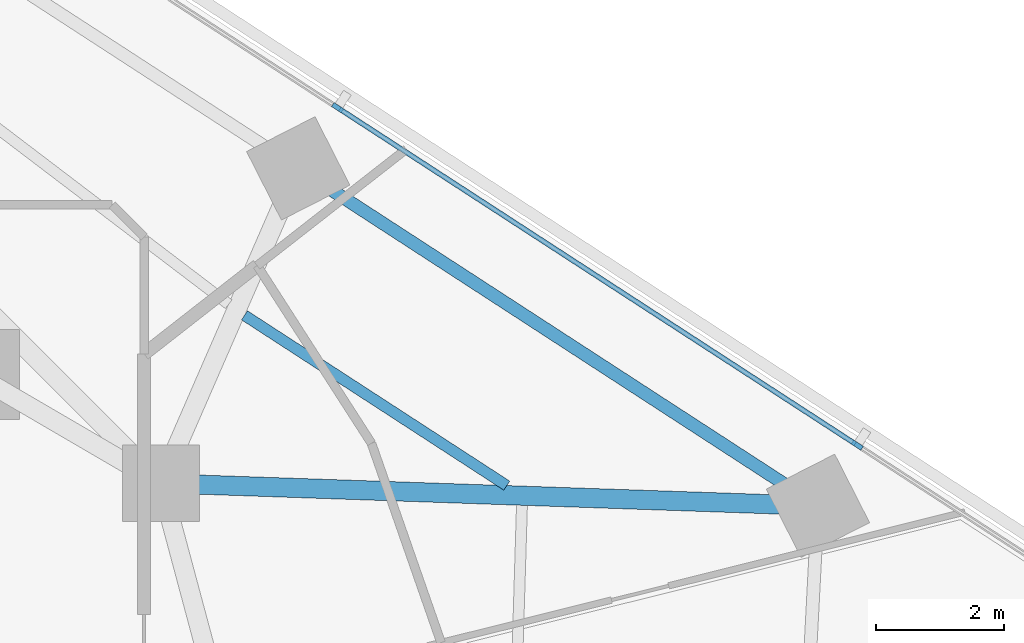
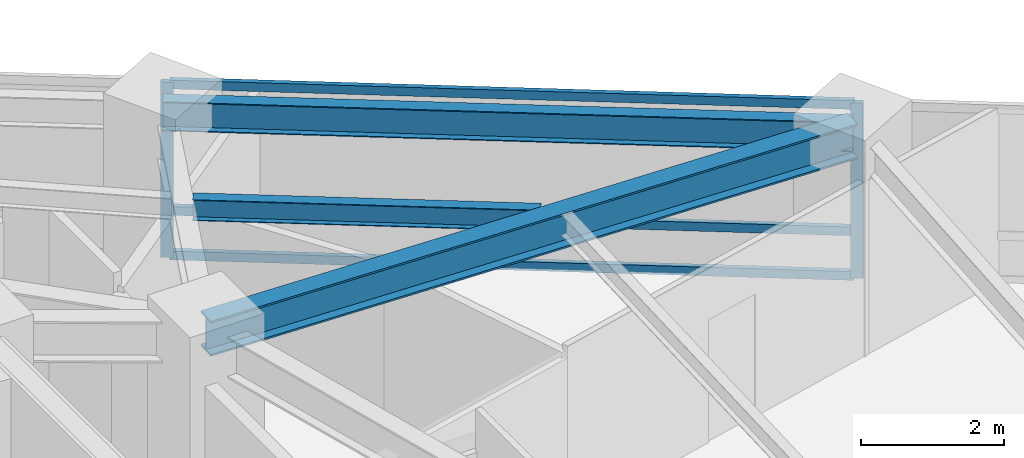
# One storey, part 6 of 14: 5 members, 3 beams, 1 element without a shape of its own.
"""IFC4 building model written with IfcOpenShell, lengths in metres."""

from ifc_helpers import new_model, si_unit, direction, frame, origin, origin_2d, place, context, subcontext, project, spatial, rectangle, i_section, extrude, material, layer, layer_set, material_profile, profile_set, type_object, element, aggregate, save


model = new_model("IFC4")

# Units and contexts
model_context = context("Model", 3, precision=1e-05, world=origin(), true_north=direction((0.0, 1.0)))
body_context = subcontext(model_context, "Body", "Model", "MODEL_VIEW")
ifc_project = project(units=[si_unit("LENGTHUNIT", "METRE"), si_unit("AREAUNIT", "SQUARE_METRE"), si_unit("VOLUMEUNIT", "CUBIC_METRE"), si_unit("PLANEANGLEUNIT", "RADIAN"), si_unit("MASSUNIT", "GRAM", prefix="KILO")], contexts=[model_context])

# Site, building, storey
site_placement = place(None, origin())
site = spatial("IfcSite", under=ifc_project, at=site_placement, CompositionType="ELEMENT")
building_placement = place(site_placement, origin())
building = spatial("IfcBuilding", under=site, at=building_placement, Name="Terralouvre Media Tower", CompositionType="ELEMENT")
storey_placement = place(building_placement, frame((0.0, 0.0, 119.89990234375)))
storey = spatial("IfcBuildingStorey", under=building, at=storey_placement, Name="L30", CompositionType="ELEMENT", Elevation=119.89990234375)

# Beam
ifc_material_1 = material(Name="Structural steel S355J2", Category="steel")
ifc_material_profile_1 = material_profile(ifc_material_1, i_section(OverallWidth=0.169921875, OverallDepth=0.360107421875, WebThickness=0.008056640625, FlangeThickness=0.0126953125, at=origin_2d()), Name="IPE 360")
ifc_profile_set_1 = profile_set([ifc_material_profile_1], Name="Structural steel S355J2")
beam_type_1 = type_object("IfcBeamType", Name="Composite Floor Joist J-IPE360 (IPE 360)", PredefinedType="JOIST", material=ifc_profile_set_1)
beam_1_placement = place(storey_placement, frame((16.31494140625, 6.263916015625, 3.320068359375), z_axis=(-0.838663920822, 0.544649270551, 0.0), x_axis=(-0.544649270551, -0.838663920822, 0.0)))
element("IfcBeam", 1, at=beam_1_placement, inside=storey, type_object=beam_type_1, Name="L30 Framing Beam JT-L30-07", PredefinedType="JOIST", context=body_context, shape_type="SweptSolid", body=[
    extrude(i_section(OverallWidth=0.169921875, OverallDepth=0.360107421875, WebThickness=0.008056640625, FlangeThickness=0.0126953125, at=origin_2d()), origin(), (0.0, 0.0, 1.0), 4.885009765625),
])

# Curtain wall, members
ifc_material_2 = material(Name="Low-iron laminated double glazing with solar-control coating", Category="glass")
ifc_layer = layer(ifc_material_2, 0.1650390625, Name="Production Studio Tower Curtain Wall CW-03")
ifc_layer_set = layer_set([ifc_layer], Name="Low-iron laminated double glazing with solar-control coating")
curtain_wall_type = type_object("IfcCurtainWallType", Name="Production Studio Tower Curtain Wall CW-03", PredefinedType="NOTDEFINED", material=ifc_layer_set)
curtain_wall_placement = place(storey_placement, origin())
curtain_wall = element("IfcCurtainWall", 2, at=curtain_wall_placement, inside=storey, type_object=curtain_wall_type, Name="L30 Facade Curtain Wall F1", PredefinedType="NOTDEFINED")
ifc_material_3 = material(Name="Anodised extruded aluminium 6063-T6", Category="aluminium")
ifc_material_profile_2 = material_profile(ifc_material_3, rectangle(XDim=0.074951171875, YDim=0.14990234375, at=origin_2d()), Name="ALU 75x150")
ifc_profile_set_2 = profile_set([ifc_material_profile_2], Name="Anodised extruded aluminium 6063-T6")
member_type_1 = type_object("IfcMemberType", Name="Curtain-Wall Horizontal Transom TR-150", PredefinedType="USERDEFINED", material=ifc_profile_set_2)
member_1_placement = place(storey_placement, frame((21.760009765625, 6.916259765625, 0.03759765625), z_axis=(-0.838661320759, 0.544653274169, 0.0), x_axis=(-0.544653274169, -0.838661320759, 0.0)))
member_1 = element("IfcMember", 3, at=member_1_placement, type_object=member_type_1, Name="CW-03 transom 2.1", ObjectType="TRANSOM", PredefinedType="USERDEFINED", context=body_context, shape_type="SweptSolid", body=[
    extrude(rectangle(XDim=0.074951171875, YDim=0.14990234375, at=origin_2d()), origin(), (0.0, 0.0, 1.0), 9.60498046875),
])
member_2_placement = place(storey_placement, frame((21.760009765625, 6.916259765625, 0.800048828125), z_axis=(-0.838661320759, 0.544653274169, 0.0), x_axis=(-0.544653274169, -0.838661320759, 0.0)))
member_2 = element("IfcMember", 4, at=member_2_placement, type_object=member_type_1, Name="CW-03 transom 2.2", ObjectType="TRANSOM", PredefinedType="USERDEFINED", context=body_context, shape_type="SweptSolid", body=[
    extrude(rectangle(XDim=0.074951171875, YDim=0.14990234375, at=origin_2d()), origin(), (0.0, 0.0, 1.0), 9.60498046875),
])
member_3_placement = place(storey_placement, frame((21.760009765625, 6.916259765625, 2.962646484375), z_axis=(-0.838661320759, 0.544653274169, 0.0), x_axis=(-0.544653274169, -0.838661320759, 0.0)))
member_3 = element("IfcMember", 5, at=member_3_placement, type_object=member_type_1, Name="CW-03 transom 2.3", ObjectType="TRANSOM", PredefinedType="USERDEFINED", context=body_context, shape_type="SweptSolid", body=[
    extrude(rectangle(XDim=0.074951171875, YDim=0.14990234375, at=origin_2d()), origin(), (0.0, 0.0, 1.0), 9.60498046875),
])
ifc_material_4 = material(Name="Anodised extruded aluminium 6063-T6", Category="aluminium")
ifc_material_profile_3 = material_profile(ifc_material_4, rectangle(XDim=0.074951171875, YDim=0.179931640625, at=origin_2d()), Name="ALU 75x180")
ifc_profile_set_3 = profile_set([ifc_material_profile_3], Name="Anodised extruded aluminium 6063-T6")
member_type_2 = type_object("IfcMemberType", Name="Curtain-Wall Vertical Mullion ML-180", PredefinedType="MULLION", material=ifc_profile_set_3)
member_4_placement = place(storey_placement, frame((21.79150390625, 6.89599609375, 0.0), z_axis=(0.0, 0.0, 1.0), x_axis=(-0.544639002681, -0.838670588944, 0.0)))
member_4 = element("IfcMember", 6, at=member_4_placement, type_object=member_type_2, Name="CW-03 mullion 2", PredefinedType="MULLION", context=body_context, shape_type="SweptSolid", body=[
    extrude(rectangle(XDim=0.074951171875, YDim=0.179931640625, at=origin_2d()), origin(), (0.0, 0.0, 1.0), 3.0),
])
member_5_placement = place(storey_placement, frame((13.673095703125, 12.16796875, 0.0), z_axis=(0.0, 0.0, 1.0), x_axis=(-0.544639002681, -0.838670588944, 0.0)))
member_5 = element("IfcMember", 7, at=member_5_placement, type_object=member_type_2, Name="CW-03 mullion 3", PredefinedType="MULLION", context=body_context, shape_type="SweptSolid", body=[
    extrude(rectangle(XDim=0.074951171875, YDim=0.179931640625, at=origin_2d()), origin(), (0.0, 0.0, 1.0), 3.0),
])
aggregate(curtain_wall, [member_4, member_5, member_1, member_2, member_3])

# Beams
ifc_material_5 = material(Name="Structural steel S355J2", Category="steel")
ifc_material_profile_4 = material_profile(ifc_material_5, i_section(OverallWidth=0.199951171875, OverallDepth=0.5, WebThickness=0.01025390625, FlangeThickness=0.01611328125, at=origin_2d()), Name="IPE 500")
ifc_profile_set_4 = profile_set([ifc_material_profile_4], Name="Structural steel S355J2")
beam_type_2 = type_object("IfcBeamType", Name="Perimeter Spandrel Beam SPB-500 (IPE 500)", PredefinedType="SPANDREL", material=ifc_profile_set_4)
beam_2_placement = place(storey_placement, frame((21.176025390625, 5.9482421875, 3.25), z_axis=(-0.838667695914, 0.54464345753, 0.0), x_axis=(-0.54464345753, -0.838667695914, 0.0)))
element("IfcBeam", 8, at=beam_2_placement, inside=storey, type_object=beam_type_2, Name="L30 Framing Beam BM-L30-PR07", PredefinedType="SPANDREL", context=body_context, shape_type="SweptSolid", body=[
    extrude(i_section(OverallWidth=0.199951171875, OverallDepth=0.5, WebThickness=0.01025390625, FlangeThickness=0.01611328125, at=origin_2d()), origin(), (0.0, 0.0, 1.0), 9.68017578125),
])
ifc_material_6 = material(Name="Structural steel S460M", Category="steel")
ifc_material_profile_5 = material_profile(ifc_material_6, i_section(OverallWidth=0.300048828125, OverallDepth=0.60009765625, WebThickness=0.015380859375, FlangeThickness=0.030029296875, at=origin_2d()), Name="HEB 600")
ifc_profile_set_5 = profile_set([ifc_material_profile_5], Name="Structural steel S460M")
beam_type_3 = type_object("IfcBeamType", Name="Primary Floor Girder B-HEB600 (HEB 600)", PredefinedType="BEAM", material=ifc_profile_set_5)
beam_3_placement = place(storey_placement, frame((10.911865234375, 6.300048828125, 3.2001953125), z_axis=(0.999413120714, -0.034255133128, 0.0), x_axis=(0.034255133128, 0.999413120714, 0.0)))
element("IfcBeam", 9, at=beam_3_placement, inside=storey, type_object=beam_type_3, Name="L30 Framing Beam BM-L30-RD07", PredefinedType="BEAM", context=body_context, shape_type="SweptSolid", body=[
    extrude(i_section(OverallWidth=0.300048828125, OverallDepth=0.60009765625, WebThickness=0.015380859375, FlangeThickness=0.030029296875, at=origin_2d()), origin(), (0.0, 0.0, 1.0), 10.270263671875),
])

save(model, "model.ifc")
